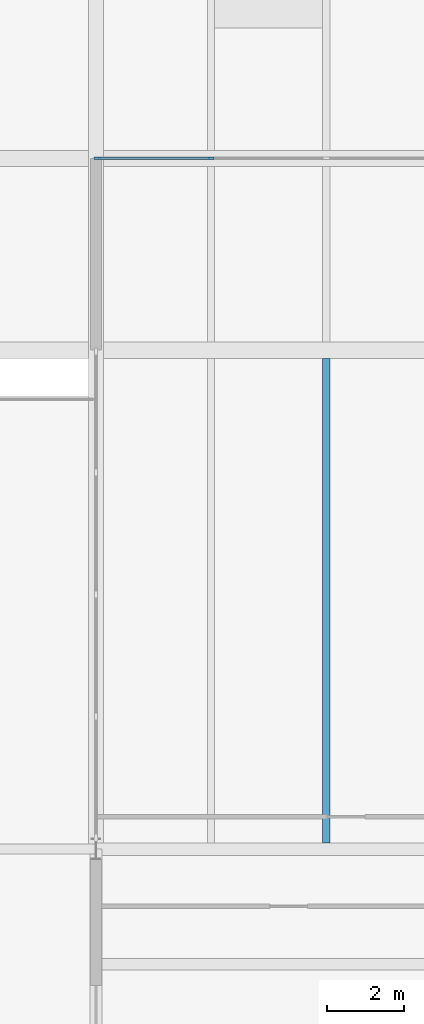
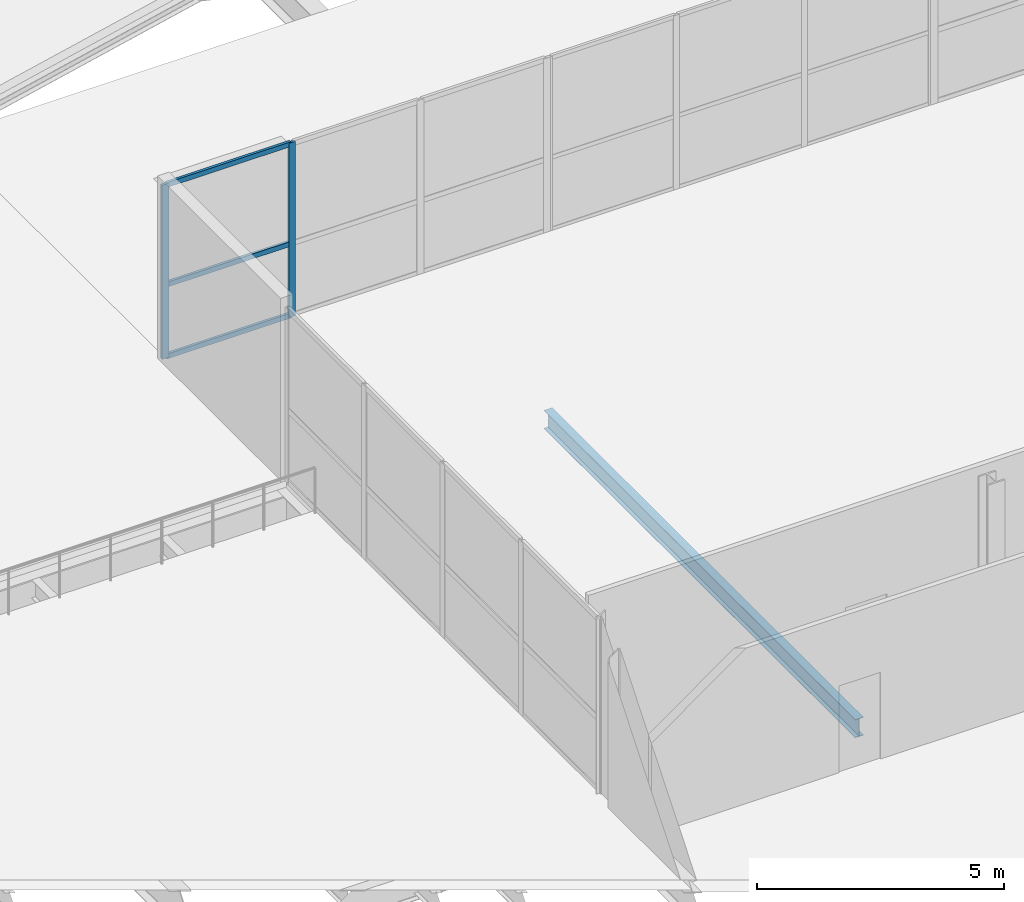
# One storey, part 22 of 50: 5 members, 1 beam, 1 element without a shape of its own.
"""IFC4 building model written with IfcOpenShell, lengths in metres."""

from ifc_helpers import new_model, si_unit, direction, frame, origin, origin_2d, place, context, subcontext, project, spatial, rectangle, i_section, extrude, material, layer, layer_set, material_profile, profile_set, type_object, element, aggregate, save


model = new_model("IFC4")

# Units and contexts
model_context = context("Model", 3, precision=1e-05, world=origin(), true_north=direction((0.0, 1.0)))
body_context = subcontext(model_context, "Body", "Model", "MODEL_VIEW")
ifc_project = project(units=[si_unit("LENGTHUNIT", "METRE"), si_unit("AREAUNIT", "SQUARE_METRE"), si_unit("VOLUMEUNIT", "CUBIC_METRE"), si_unit("PLANEANGLEUNIT", "RADIAN"), si_unit("MASSUNIT", "GRAM", prefix="KILO")], contexts=[model_context])

# Site, building, storey
site_placement = place(None, origin())
site = spatial("IfcSite", under=ifc_project, at=site_placement, CompositionType="ELEMENT")
building_placement = place(site_placement, origin())
building = spatial("IfcBuilding", under=site, at=building_placement, Name="Qamarlyn Nura Convention Centre", CompositionType="ELEMENT")
storey_placement = place(building_placement, frame((0.0, 0.0, 20.39990234375)))
storey = spatial("IfcBuildingStorey", under=building, at=storey_placement, Name="L04", CompositionType="ELEMENT", Elevation=20.39990234375)

# Beam
ifc_material_1 = material(Name="Steel ASTM A992", Category="steel")
ifc_material_profile_1 = material_profile(ifc_material_1, i_section(OverallWidth=0.18994140625, OverallDepth=0.45703125, WebThickness=0.009033203125, FlangeThickness=0.014404296875, FilletRadius=0.012939453125, at=origin_2d()), Name="W460X74")
ifc_profile_set_1 = profile_set([ifc_material_profile_1], Name="Steel ASTM A992")
beam_type = type_object("IfcBeamType", Name="BM-JOIST-460", PredefinedType="JOIST", material=ifc_profile_set_1)
beam_placement = place(storey_placement, frame((168.0, 90.162109375, -0.428466796875), z_axis=(0.0, 1.0, 0.0), x_axis=(-1.0, 0.0, 0.0)))
element("IfcBeam", 1, at=beam_placement, inside=storey, type_object=beam_type, Name="L04 secondary joist 14-15/L-M-33", PredefinedType="JOIST", context=body_context, shape_type="SweptSolid", body=[
    extrude(i_section(OverallWidth=0.18994140625, OverallDepth=0.45703125, WebThickness=0.009033203125, FlangeThickness=0.014404296875, FilletRadius=0.012939453125, at=origin_2d()), origin(), (0.0, 0.0, 1.0), 12.62890625),
])

# Curtain wall, members
ifc_material_2 = material(Name="Double-silver low-E insulated glass", Category="glass")
ifc_layer = layer(ifc_material_2, 0.179931640625, Name="CW-UNIT-149")
ifc_layer_set = layer_set([ifc_layer], Name="Double-silver low-E insulated glass")
curtain_wall_type = type_object("IfcCurtainWallType", Name="CW-UNIT-149", PredefinedType="NOTDEFINED", material=ifc_layer_set)
curtain_wall_placement = place(storey_placement, origin())
curtain_wall = element("IfcCurtainWall", 2, at=curtain_wall_placement, inside=storey, type_object=curtain_wall_type, Name="L04 unitised curtain wall DLN-162-1", PredefinedType="NOTDEFINED")
ifc_material_3 = material(Name="Champagne-anodised marine aluminium", Category="aluminium")
ifc_material_profile_2 = material_profile(ifc_material_3, rectangle(XDim=0.06494140625, YDim=0.159912109375, at=origin_2d()), Name="ALU MULLION 65x160")
ifc_profile_set_2 = profile_set([ifc_material_profile_2], Name="Champagne-anodised marine aluminium")
member_type_1 = type_object("IfcMemberType", Name="CWM-160", PredefinedType="MULLION", material=ifc_profile_set_2)
member_1_placement = place(storey_placement, frame((162.032470703125, 108.0, 0.0), z_axis=(0.0, 0.0, 1.0), x_axis=(0.0, 1.0, 0.0)))
member_1 = element("IfcMember", 3, at=member_1_placement, type_object=member_type_1, Name="CW149 mullion 1", PredefinedType="MULLION", context=body_context, shape_type="SweptSolid", body=[
    extrude(rectangle(XDim=0.06494140625, YDim=0.159912109375, at=origin_2d()), origin(), (0.0, 0.0, 1.0), 4.31005859375),
])
member_2_placement = place(storey_placement, frame((165.0, 108.0, 0.0), z_axis=(0.0, 0.0, 1.0), x_axis=(0.0, 1.0, 0.0)))
member_2 = element("IfcMember", 4, at=member_2_placement, type_object=member_type_1, Name="CW149 mullion 2", PredefinedType="MULLION", context=body_context, shape_type="SweptSolid", body=[
    extrude(rectangle(XDim=0.06494140625, YDim=0.159912109375, at=origin_2d()), origin(), (0.0, 0.0, 1.0), 4.31005859375),
])
ifc_material_profile_3 = material_profile(ifc_material_3, rectangle(XDim=0.06494140625, YDim=0.1201171875, at=origin_2d()), Name="ALU TRANSOM 65x120")
ifc_profile_set_3 = profile_set([ifc_material_profile_3], Name="Champagne-anodised marine aluminium")
member_type_2 = type_object("IfcMemberType", Name="CWT-120", PredefinedType="USERDEFINED", material=ifc_profile_set_3)
member_3_placement = place(storey_placement, frame((162.06494140625, 108.0, 0.03271484375), z_axis=(1.0, 0.0, 0.0), x_axis=(0.0, 1.0, 0.0)))
member_3 = element("IfcMember", 5, at=member_3_placement, type_object=member_type_2, Name="CW149 transom 1.1", ObjectType="TRANSOM", PredefinedType="USERDEFINED", context=body_context, shape_type="SweptSolid", body=[
    extrude(rectangle(XDim=0.06494140625, YDim=0.1201171875, at=origin_2d()), origin(), (0.0, 0.0, 1.0), 2.902587890625),
])
member_4_placement = place(storey_placement, frame((162.06494140625, 108.0, 1.81005859375), z_axis=(1.0, 0.0, 0.0), x_axis=(0.0, 1.0, 0.0)))
member_4 = element("IfcMember", 6, at=member_4_placement, type_object=member_type_2, Name="CW149 transom 1.2", ObjectType="TRANSOM", PredefinedType="USERDEFINED", context=body_context, shape_type="SweptSolid", body=[
    extrude(rectangle(XDim=0.06494140625, YDim=0.1201171875, at=origin_2d()), origin(), (0.0, 0.0, 1.0), 2.902587890625),
])
member_5_placement = place(storey_placement, frame((162.06494140625, 108.0, 4.277587890625), z_axis=(1.0, 0.0, 0.0), x_axis=(0.0, 1.0, 0.0)))
member_5 = element("IfcMember", 7, at=member_5_placement, type_object=member_type_2, Name="CW149 transom 1.3", ObjectType="TRANSOM", PredefinedType="USERDEFINED", context=body_context, shape_type="SweptSolid", body=[
    extrude(rectangle(XDim=0.06494140625, YDim=0.1201171875, at=origin_2d()), origin(), (0.0, 0.0, 1.0), 2.902587890625),
])
aggregate(curtain_wall, [member_1, member_2, member_3, member_4, member_5])

save(model, "model.ifc")
